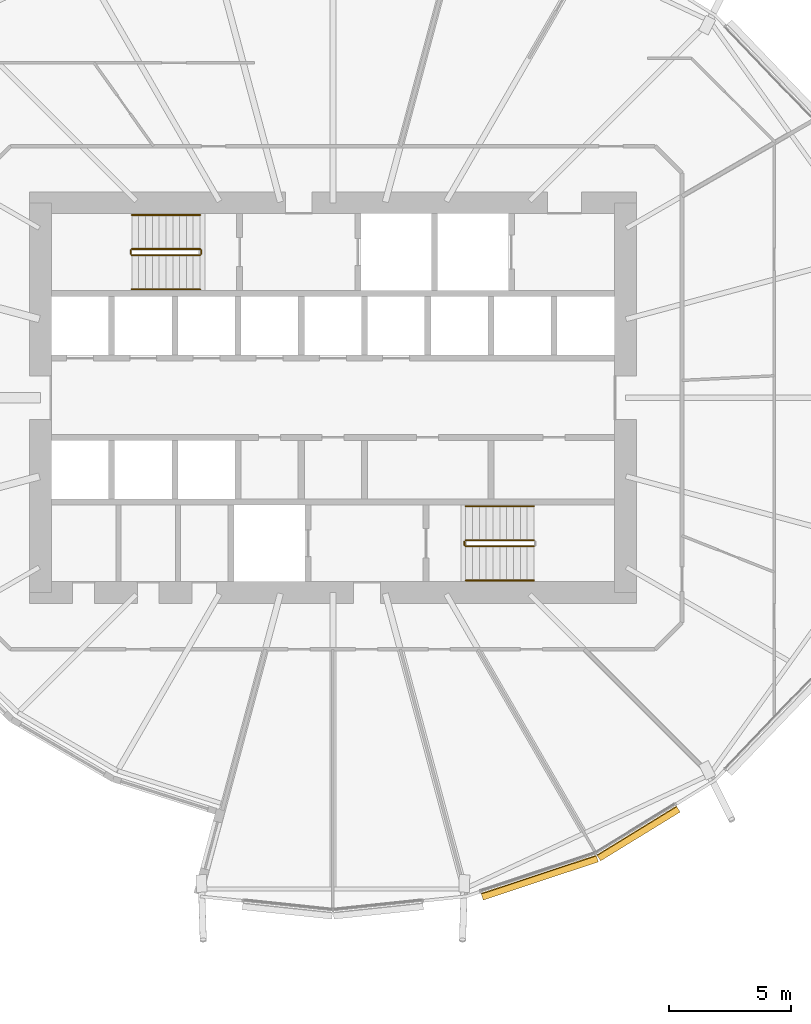
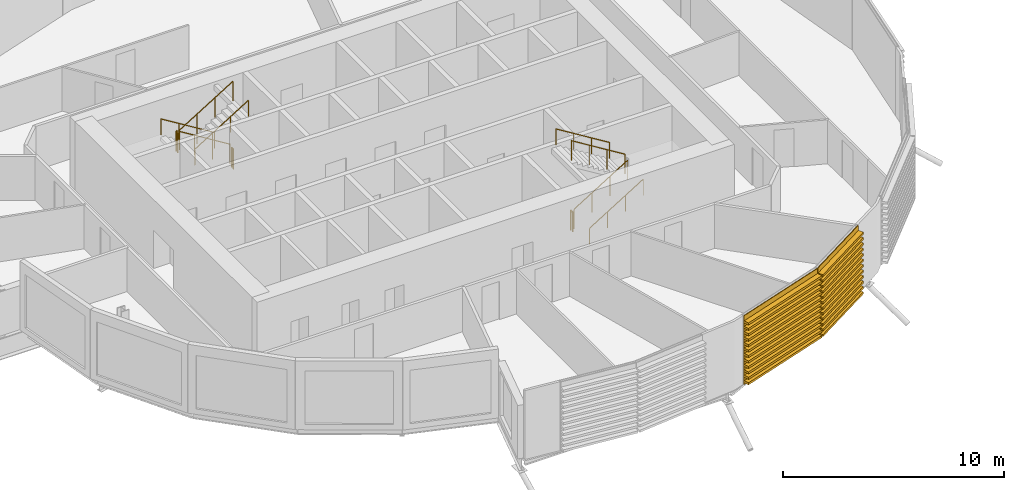
# One storey, part 33 of 38: 11 railings, 2 coverings.
"""IFC4 building model written with IfcOpenShell, lengths in metres."""

from ifc_helpers import new_model, si_unit, direction, frame, origin, origin_2d, place, context, subcontext, project, spatial, polyline, circle, outline, extrude, material, material_profile, profile_set, type_object, element, save


model = new_model("IFC4")

# Units and contexts
model_context = context("Model", 3, precision=1e-05, world=origin(), true_north=direction((0.0, 1.0)))
body_context = subcontext(model_context, "Body", "Model", "MODEL_VIEW")
ifc_project = project(units=[si_unit("LENGTHUNIT", "METRE"), si_unit("AREAUNIT", "SQUARE_METRE"), si_unit("VOLUMEUNIT", "CUBIC_METRE"), si_unit("PLANEANGLEUNIT", "RADIAN"), si_unit("MASSUNIT", "GRAM", prefix="KILO")], contexts=[model_context])

# Site, building, storey
site_placement = place(None, origin())
site = spatial("IfcSite", under=ifc_project, at=site_placement, CompositionType="ELEMENT")
building_placement = place(site_placement, origin())
building = spatial("IfcBuilding", under=site, at=building_placement, Name="Rimbun Link Towers", CompositionType="ELEMENT")
storey_placement = place(building_placement, frame((0.0, 0.0, 68.0)))
storey = spatial("IfcBuildingStorey", under=building, at=storey_placement, Name="L16", CompositionType="ELEMENT", Elevation=68.0)

# Railings
ifc_material_1 = material(Name="Stainless steel grade 316", Category="steel")
railing_type_1 = type_object("IfcRailingType", Name="Stair guard", PredefinedType="GUARDRAIL", material=ifc_material_1)
railing_1_placement = place(storey_placement, frame((-37.199951171875, 6.10009765625, 0.172607421875)))
element("IfcRailing", 1, at=railing_1_placement, inside=storey, type_object=railing_type_1, Name="L16 ST1 stair guard 1", PredefinedType="GUARDRAIL", context=body_context, shape_type="SweptSolid", body=[
    extrude(circle(Radius=0.02392578125, at=origin_2d()), frame((0.0, 0.0, 1.076171875), z_axis=(-0.851089632645, 0.0, 0.525020415988), x_axis=(0.0, -1.0, 0.0)), (0.0, 0.0, 1.0), 3.2900390625),
    extrude(circle(Radius=0.02099609375, at=origin_2d()), origin(), (0.0, 0.0, 1.0), 1.052001953125),
    extrude(circle(Radius=0.02099609375, at=origin_2d()), frame((-0.933349609375, 0.0, 0.57568359375)), (0.0, 0.0, 1.0), 1.052001953125),
    extrude(circle(Radius=0.02099609375, at=origin_2d()), frame((-1.86669921875, 0.0, 1.151611328125)), (0.0, 0.0, 1.0), 1.052001953125),
    extrude(circle(Radius=0.02099609375, at=origin_2d()), frame((-2.800048828125, 0.0, 1.727294921875)), (0.0, 0.0, 1.0), 1.052001953125),
])
railing_2_placement = place(storey_placement, frame((-40.050048828125, 6.050048828125, 1.89990234375)))
element("IfcRailing", 2, at=railing_2_placement, inside=storey, type_object=railing_type_1, Name="L16 ST1 stair guard 2", PredefinedType="GUARDRAIL", context=body_context, shape_type="SweptSolid", body=[
    extrude(circle(Radius=0.02392578125, at=origin_2d()), frame((0.0, 0.0, 1.076171875), z_axis=(0.0, -1.0, 0.0), x_axis=(1.0, 0.0, 0.0)), (0.0, 0.0, 1.0), 0.150146484375),
    extrude(circle(Radius=0.02099609375, at=origin_2d()), origin(), (0.0, 0.0, 1.0), 1.052001953125),
    extrude(circle(Radius=0.02099609375, at=origin_2d()), frame((0.0, -0.150146484375, 0.0)), (0.0, 0.0, 1.0), 1.052001953125),
])
railing_3_placement = place(storey_placement, frame((-40.0, 5.85009765625, 2.07275390625)))
element("IfcRailing", 3, at=railing_3_placement, inside=storey, type_object=railing_type_1, Name="L16 ST1 stair guard 3", PredefinedType="GUARDRAIL", context=body_context, shape_type="SweptSolid", body=[
    extrude(circle(Radius=0.02392578125, at=origin_2d()), frame((0.0, 0.0, 1.076171875), z_axis=(0.851089632645, 0.0, 0.525020415988), x_axis=(0.0, 1.0, 0.0)), (0.0, 0.0, 1.0), 3.2900390625),
    extrude(circle(Radius=0.02099609375, at=origin_2d()), origin(), (0.0, 0.0, 1.0), 1.052001953125),
    extrude(circle(Radius=0.02099609375, at=origin_2d()), frame((0.933349609375, 0.0, 0.57568359375)), (0.0, 0.0, 1.0), 1.052001953125),
    extrude(circle(Radius=0.02099609375, at=origin_2d()), frame((1.86669921875, 0.0, 1.151611328125)), (0.0, 0.0, 1.0), 1.052001953125),
    extrude(circle(Radius=0.02099609375, at=origin_2d()), frame((2.800048828125, 0.0, 1.727294921875)), (0.0, 0.0, 1.0), 1.052001953125),
])
railing_4_placement = place(storey_placement, frame((-37.14990234375, 6.050048828125, 0.0)))
element("IfcRailing", 4, at=railing_4_placement, inside=storey, type_object=railing_type_1, Name="L16 ST1 stair guard 4", PredefinedType="GUARDRAIL", context=body_context, shape_type="SweptSolid", body=[
    extrude(circle(Radius=0.02392578125, at=origin_2d()), frame((0.0, 0.0, 1.076171875), z_axis=(0.0, -1.0, 0.0), x_axis=(1.0, 0.0, 0.0)), (0.0, 0.0, 1.0), 0.150146484375),
    extrude(circle(Radius=0.02099609375, at=origin_2d()), origin(), (0.0, 0.0, 1.0), 1.052001953125),
    extrude(circle(Radius=0.02099609375, at=origin_2d()), frame((0.0, -0.150146484375, 0.0)), (0.0, 0.0, 1.0), 1.052001953125),
])
railing_5_placement = place(storey_placement, frame((-26.300048828125, -6.10009765625, 0.172607421875)))
element("IfcRailing", 5, at=railing_5_placement, inside=storey, type_object=railing_type_1, Name="L16 ST2 stair guard 1", PredefinedType="GUARDRAIL", context=body_context, shape_type="SweptSolid", body=[
    extrude(circle(Radius=0.02392578125, at=origin_2d()), frame((0.0, 0.0, 1.076171875), z_axis=(0.851089632645, 0.0, 0.525020415988), x_axis=(0.0, 1.0, 0.0)), (0.0, 0.0, 1.0), 3.2900390625),
    extrude(circle(Radius=0.02099609375, at=origin_2d()), origin(), (0.0, 0.0, 1.0), 1.052001953125),
    extrude(circle(Radius=0.02099609375, at=origin_2d()), frame((0.933349609375, 0.0, 0.57568359375)), (0.0, 0.0, 1.0), 1.052001953125),
    extrude(circle(Radius=0.02099609375, at=origin_2d()), frame((1.86669921875, 0.0, 1.151611328125)), (0.0, 0.0, 1.0), 1.052001953125),
    extrude(circle(Radius=0.02099609375, at=origin_2d()), frame((2.800048828125, 0.0, 1.727294921875)), (0.0, 0.0, 1.0), 1.052001953125),
])
railing_6_placement = place(storey_placement, frame((-23.5, -5.85009765625, 2.07275390625)))
element("IfcRailing", 6, at=railing_6_placement, inside=storey, type_object=railing_type_1, Name="L16 ST2 stair guard 3", PredefinedType="GUARDRAIL", context=body_context, shape_type="SweptSolid", body=[
    extrude(circle(Radius=0.02392578125, at=origin_2d()), frame((0.0, 0.0, 1.076171875), z_axis=(-0.851089632645, 0.0, 0.525020415988), x_axis=(0.0, -1.0, 0.0)), (0.0, 0.0, 1.0), 3.2900390625),
    extrude(circle(Radius=0.02099609375, at=origin_2d()), origin(), (0.0, 0.0, 1.0), 1.052001953125),
    extrude(circle(Radius=0.02099609375, at=origin_2d()), frame((-0.933349609375, 0.0, 0.57568359375)), (0.0, 0.0, 1.0), 1.052001953125),
    extrude(circle(Radius=0.02099609375, at=origin_2d()), frame((-1.86669921875, 0.0, 1.151611328125)), (0.0, 0.0, 1.0), 1.052001953125),
    extrude(circle(Radius=0.02099609375, at=origin_2d()), frame((-2.800048828125, 0.0, 1.727294921875)), (0.0, 0.0, 1.0), 1.052001953125),
])
railing_7_placement = place(storey_placement, frame((-26.35009765625, -6.050048828125, 0.0)))
element("IfcRailing", 7, at=railing_7_placement, inside=storey, type_object=railing_type_1, Name="L16 ST2 stair guard 4", PredefinedType="GUARDRAIL", context=body_context, shape_type="SweptSolid", body=[
    extrude(circle(Radius=0.02392578125, at=origin_2d()), frame((0.0, 0.0, 1.076171875), z_axis=(0.0, 1.0, 0.0), x_axis=(-1.0, 0.0, 0.0)), (0.0, 0.0, 1.0), 0.150146484375),
    extrude(circle(Radius=0.02099609375, at=origin_2d()), origin(), (0.0, 0.0, 1.0), 1.052001953125),
    extrude(circle(Radius=0.02099609375, at=origin_2d()), frame((0.0, 0.150146484375, 0.0)), (0.0, 0.0, 1.0), 1.052001953125),
])
ifc_material_2 = material(Name="Stainless steel grade 316", Category="steel")
railing_type_2 = type_object("IfcRailingType", Name="Stair handrail", PredefinedType="HANDRAIL", material=ifc_material_2)
railing_8_placement = place(storey_placement, frame((-37.199951171875, 7.5, 0.172607421875)))
element("IfcRailing", 8, at=railing_8_placement, inside=storey, type_object=railing_type_2, Name="L16 ST1 stair handrail 1", PredefinedType="HANDRAIL", context=body_context, shape_type="SweptSolid", body=[
    extrude(circle(Radius=0.02392578125, at=origin_2d()), frame((0.0, 0.0, 0.8759765625), z_axis=(-0.851089632645, 0.0, 0.525020415988), x_axis=(0.0, -1.0, 0.0)), (0.0, 0.0, 1.0), 3.2900390625),
    extrude(circle(Radius=0.02099609375, at=origin_2d()), origin(), (0.0, 0.0, 1.0), 0.851806640625),
    extrude(circle(Radius=0.02099609375, at=origin_2d()), frame((-0.933349609375, 0.0, 0.57568359375)), (0.0, 0.0, 1.0), 0.851806640625),
    extrude(circle(Radius=0.02099609375, at=origin_2d()), frame((-1.86669921875, 0.0, 1.151611328125)), (0.0, 0.0, 1.0), 0.851806640625),
    extrude(circle(Radius=0.02099609375, at=origin_2d()), frame((-2.800048828125, 0.0, 1.727294921875)), (0.0, 0.0, 1.0), 0.851806640625),
])
for number, where, name in (
    (9, (-40.0, 4.449951171875, 2.07275390625), "L16 ST1 stair handrail 2"),
    (10, (-26.300048828125, -7.5, 0.172607421875), "L16 ST2 stair handrail 1"),
):
    element("IfcRailing", number, at=place(storey_placement, frame(where)), inside=storey, type_object=railing_type_2, Name=name, PredefinedType="HANDRAIL", context=body_context, shape_type="SweptSolid", body=[
        extrude(circle(Radius=0.02392578125, at=origin_2d()), frame((0.0, 0.0, 0.8759765625), z_axis=(0.851089632645, 0.0, 0.525020415988), x_axis=(0.0, 1.0, 0.0)), (0.0, 0.0, 1.0), 3.2900390625),
        extrude(circle(Radius=0.02099609375, at=origin_2d()), origin(), (0.0, 0.0, 1.0), 0.851806640625),
        extrude(circle(Radius=0.02099609375, at=origin_2d()), frame((0.933349609375, 0.0, 0.57568359375)), (0.0, 0.0, 1.0), 0.851806640625),
        extrude(circle(Radius=0.02099609375, at=origin_2d()), frame((1.86669921875, 0.0, 1.151611328125)), (0.0, 0.0, 1.0), 0.851806640625),
        extrude(circle(Radius=0.02099609375, at=origin_2d()), frame((2.800048828125, 0.0, 1.727294921875)), (0.0, 0.0, 1.0), 0.851806640625),
    ])
railing_9_placement = place(storey_placement, frame((-23.5, -4.449951171875, 2.07275390625)))
element("IfcRailing", 11, at=railing_9_placement, inside=storey, type_object=railing_type_2, Name="L16 ST2 stair handrail 2", PredefinedType="HANDRAIL", context=body_context, shape_type="SweptSolid", body=[
    extrude(circle(Radius=0.02392578125, at=origin_2d()), frame((0.0, 0.0, 0.8759765625), z_axis=(-0.851089632645, 0.0, 0.525020415988), x_axis=(0.0, -1.0, 0.0)), (0.0, 0.0, 1.0), 3.2900390625),
    extrude(circle(Radius=0.02099609375, at=origin_2d()), origin(), (0.0, 0.0, 1.0), 0.851806640625),
    extrude(circle(Radius=0.02099609375, at=origin_2d()), frame((-0.933349609375, 0.0, 0.57568359375)), (0.0, 0.0, 1.0), 0.851806640625),
    extrude(circle(Radius=0.02099609375, at=origin_2d()), frame((-1.86669921875, 0.0, 1.151611328125)), (0.0, 0.0, 1.0), 0.851806640625),
    extrude(circle(Radius=0.02099609375, at=origin_2d()), frame((-2.800048828125, 0.0, 1.727294921875)), (0.0, 0.0, 1.0), 0.851806640625),
])

# Coverings
ifc_material_3 = material(Name="Terracotta", Category="masonry")
ifc_material_profile = material_profile(ifc_material_3, outline(polyline([(0.123046875, 0.0), (0.1630859375, 0.0), (0.1630859375, 0.10009765625), (0.423095703125, 0.10009765625), (0.423095703125, 0.219970703125), (0.1630859375, 0.219970703125), (0.1630859375, 0.39990234375), (0.423095703125, 0.39990234375), (0.423095703125, 0.52001953125), (0.1630859375, 0.52001953125), (0.1630859375, 0.699951171875), (0.423095703125, 0.699951171875), (0.423095703125, 0.820068359375), (0.1630859375, 0.820068359375), (0.1630859375, 1.0), (0.423095703125, 1.0), (0.423095703125, 1.1201171875), (0.1630859375, 1.1201171875), (0.1630859375, 1.300048828125), (0.423095703125, 1.300048828125), (0.423095703125, 1.419921875), (0.1630859375, 1.419921875), (0.1630859375, 1.60009765625), (0.423095703125, 1.60009765625), (0.423095703125, 1.719970703125), (0.1630859375, 1.719970703125), (0.1630859375, 1.89990234375), (0.423095703125, 1.89990234375), (0.423095703125, 2.02001953125), (0.1630859375, 2.02001953125), (0.1630859375, 2.199951171875), (0.423095703125, 2.199951171875), (0.423095703125, 2.320068359375), (0.1630859375, 2.320068359375), (0.1630859375, 2.5), (0.423095703125, 2.5), (0.423095703125, 2.6201171875), (0.1630859375, 2.6201171875), (0.1630859375, 2.800048828125), (0.423095703125, 2.800048828125), (0.423095703125, 2.919921875), (0.1630859375, 2.919921875), (0.1630859375, 3.10009765625), (0.423095703125, 3.10009765625), (0.423095703125, 3.219970703125), (0.1630859375, 3.219970703125), (0.1630859375, 3.39990234375), (0.423095703125, 3.39990234375), (0.423095703125, 3.52001953125), (0.1630859375, 3.52001953125), (0.1630859375, 3.800048828125), (0.123046875, 3.800048828125), (0.123046875, 0.0)])), Name="BAGUETTE 120X300")
ifc_profile_set = profile_set([ifc_material_profile], Name="Terracotta")
covering_type = type_object("IfcCoveringType", Name="TERRACOTTA BAGUETTE 120X300 H3800", PredefinedType="CLADDING", material=ifc_profile_set)
covering_1_placement = place(storey_placement, frame((-20.985107421875, -18.6455078125, 0.0), z_axis=(-0.949230755565, -0.314580629871, 0.0), x_axis=(0.314580629871, -0.949230755565, 0.0)))
element("IfcCovering", 12, at=covering_1_placement, inside=storey, type_object=covering_type, Name="TERRACOTTA BAGUETTE", PredefinedType="CLADDING", context=body_context, shape_type="SweptSolid", body=[
    extrude(outline(polyline([(0.123046875, 0.0), (0.1630859375, 0.0), (0.1630859375, 0.10009765625), (0.423095703125, 0.10009765625), (0.423095703125, 0.219970703125), (0.1630859375, 0.219970703125), (0.1630859375, 0.39990234375), (0.423095703125, 0.39990234375), (0.423095703125, 0.52001953125), (0.1630859375, 0.52001953125), (0.1630859375, 0.699951171875), (0.423095703125, 0.699951171875), (0.423095703125, 0.820068359375), (0.1630859375, 0.820068359375), (0.1630859375, 1.0), (0.423095703125, 1.0), (0.423095703125, 1.1201171875), (0.1630859375, 1.1201171875), (0.1630859375, 1.300048828125), (0.423095703125, 1.300048828125), (0.423095703125, 1.419921875), (0.1630859375, 1.419921875), (0.1630859375, 1.60009765625), (0.423095703125, 1.60009765625), (0.423095703125, 1.719970703125), (0.1630859375, 1.719970703125), (0.1630859375, 1.89990234375), (0.423095703125, 1.89990234375), (0.423095703125, 2.02001953125), (0.1630859375, 2.02001953125), (0.1630859375, 2.199951171875), (0.423095703125, 2.199951171875), (0.423095703125, 2.320068359375), (0.1630859375, 2.320068359375), (0.1630859375, 2.5), (0.423095703125, 2.5), (0.423095703125, 2.6201171875), (0.1630859375, 2.6201171875), (0.1630859375, 2.800048828125), (0.423095703125, 2.800048828125), (0.423095703125, 2.919921875), (0.1630859375, 2.919921875), (0.1630859375, 3.10009765625), (0.423095703125, 3.10009765625), (0.423095703125, 3.219970703125), (0.1630859375, 3.219970703125), (0.1630859375, 3.39990234375), (0.423095703125, 3.39990234375), (0.423095703125, 3.52001953125), (0.1630859375, 3.52001953125), (0.1630859375, 3.800048828125), (0.123046875, 3.800048828125), (0.123046875, 0.0)])), origin(), (0.0, 0.0, 1.0), 4.981689453125),
])
covering_2_placement = place(storey_placement, frame((-17.721435546875, -16.641845703125, 0.0), z_axis=(-0.852211619155, -0.523197244046, 0.0), x_axis=(0.523197244046, -0.852211619155, 0.0)))
element("IfcCovering", 13, at=covering_2_placement, inside=storey, type_object=covering_type, Name="TERRACOTTA BAGUETTE", PredefinedType="CLADDING", context=body_context, shape_type="SweptSolid", body=[
    extrude(outline(polyline([(0.123046875, 0.0), (0.1630859375, 0.0), (0.1630859375, 0.10009765625), (0.423095703125, 0.10009765625), (0.423095703125, 0.219970703125), (0.1630859375, 0.219970703125), (0.1630859375, 0.39990234375), (0.423095703125, 0.39990234375), (0.423095703125, 0.52001953125), (0.1630859375, 0.52001953125), (0.1630859375, 0.699951171875), (0.423095703125, 0.699951171875), (0.423095703125, 0.820068359375), (0.1630859375, 0.820068359375), (0.1630859375, 1.0), (0.423095703125, 1.0), (0.423095703125, 1.1201171875), (0.1630859375, 1.1201171875), (0.1630859375, 1.300048828125), (0.423095703125, 1.300048828125), (0.423095703125, 1.419921875), (0.1630859375, 1.419921875), (0.1630859375, 1.60009765625), (0.423095703125, 1.60009765625), (0.423095703125, 1.719970703125), (0.1630859375, 1.719970703125), (0.1630859375, 1.89990234375), (0.423095703125, 1.89990234375), (0.423095703125, 2.02001953125), (0.1630859375, 2.02001953125), (0.1630859375, 2.199951171875), (0.423095703125, 2.199951171875), (0.423095703125, 2.320068359375), (0.1630859375, 2.320068359375), (0.1630859375, 2.5), (0.423095703125, 2.5), (0.423095703125, 2.6201171875), (0.1630859375, 2.6201171875), (0.1630859375, 2.800048828125), (0.423095703125, 2.800048828125), (0.423095703125, 2.919921875), (0.1630859375, 2.919921875), (0.1630859375, 3.10009765625), (0.423095703125, 3.10009765625), (0.423095703125, 3.219970703125), (0.1630859375, 3.219970703125), (0.1630859375, 3.39990234375), (0.423095703125, 3.39990234375), (0.423095703125, 3.52001953125), (0.1630859375, 3.52001953125), (0.1630859375, 3.800048828125), (0.123046875, 3.800048828125), (0.123046875, 0.0)])), origin(), (0.0, 0.0, 1.0), 3.82958984375),
])

save(model, "model.ifc")
